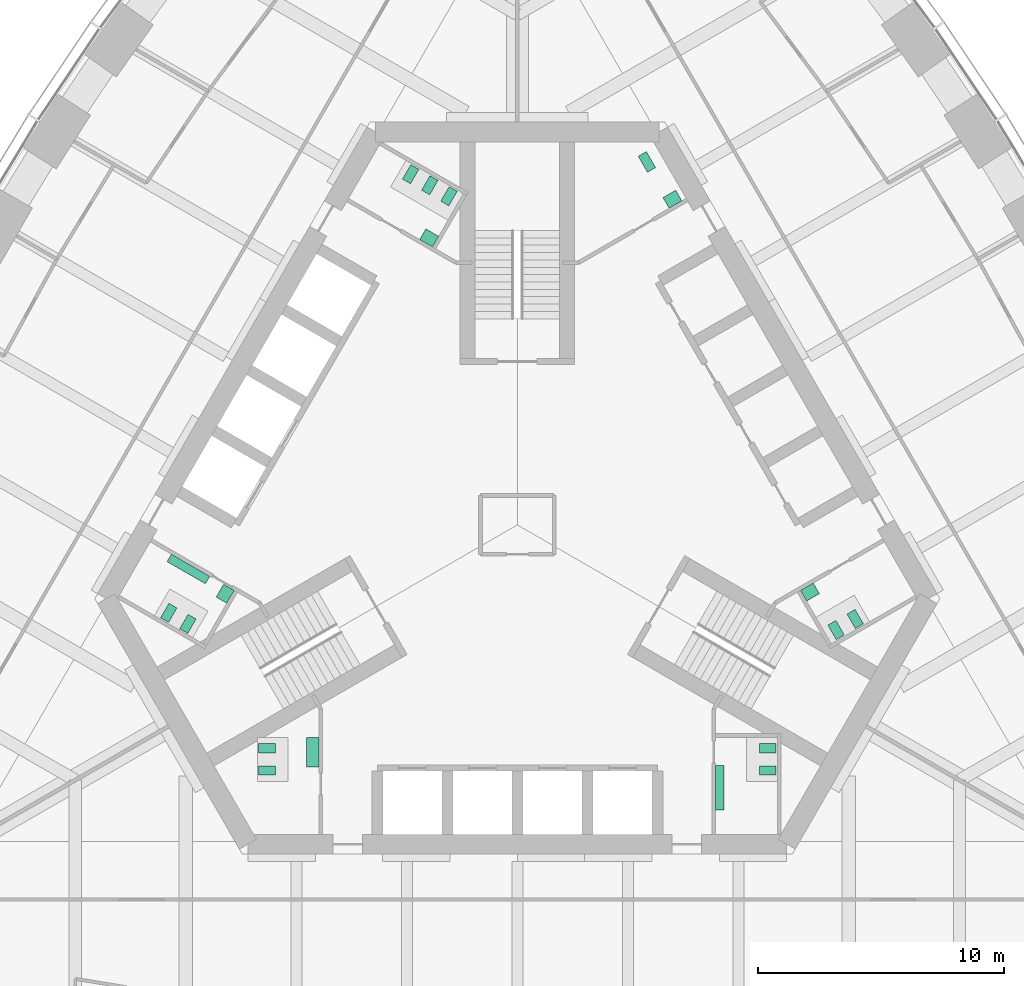
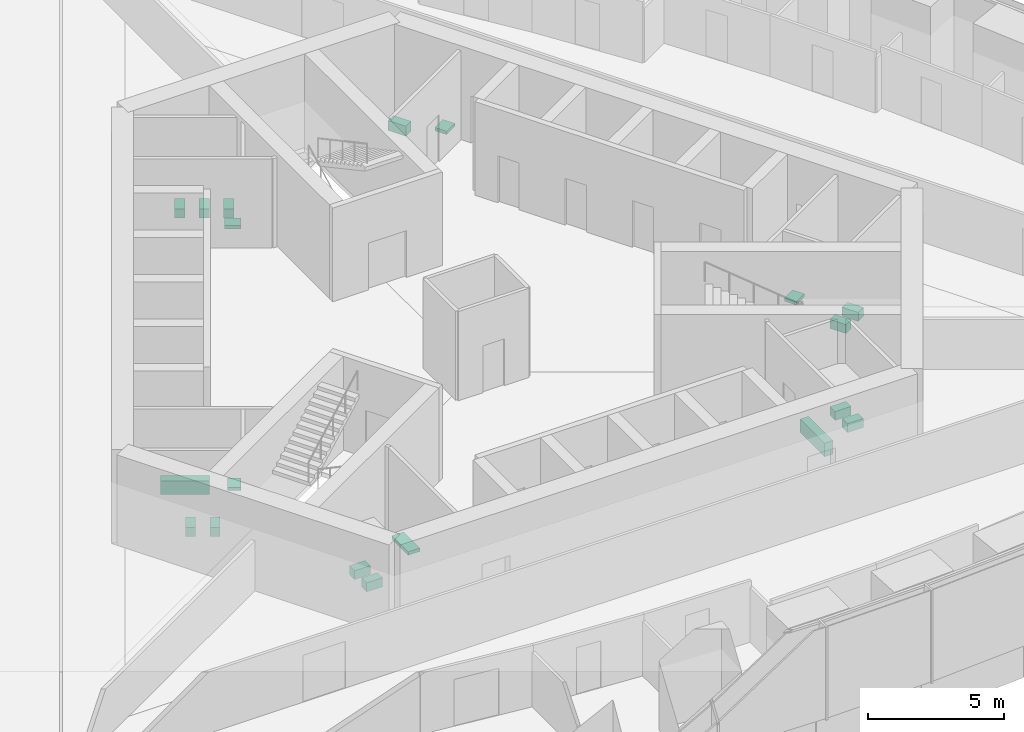
# One storey, part 18 of 19: 19 sanitary terminals.
"""IFC4 building model written with IfcOpenShell, lengths in metres."""

from ifc_helpers import new_model, si_unit, direction, frame, origin, place, context, subcontext, project, spatial, polyline, outline, extrude, material, type_object, element, save


model = new_model("IFC4")

# Units and contexts
model_context = context("Model", 3, precision=1e-05, world=origin(), true_north=direction((0.0, 1.0)))
body_context = subcontext(model_context, "Body", "Model", "MODEL_VIEW")
ifc_project = project(units=[si_unit("LENGTHUNIT", "METRE"), si_unit("AREAUNIT", "SQUARE_METRE"), si_unit("VOLUMEUNIT", "CUBIC_METRE"), si_unit("PLANEANGLEUNIT", "RADIAN"), si_unit("MASSUNIT", "GRAM", prefix="KILO")], contexts=[model_context])

# Site, building, storey
site_placement = place(None, origin())
site = spatial("IfcSite", under=ifc_project, at=site_placement, CompositionType="ELEMENT")
building_placement = place(site_placement, origin())
building = spatial("IfcBuilding", under=site, at=building_placement, Name="Trefoil Bronze Tower", CompositionType="ELEMENT")
storey_placement = place(building_placement, frame((0.0, 0.0, 189.699951171875)))
storey = spatial("IfcBuildingStorey", under=building, at=storey_placement, Name="L43", CompositionType="ELEMENT", Elevation=189.699951171875)

# Sanitary terminals
ifc_material_1 = material(Name="Vitreous china", Category="ceramic")
sanitary_terminal_type_1 = type_object("IfcSanitaryTerminalType", Name="Accessible WC pan", PredefinedType="TOILETPAN", material=ifc_material_1)
sanitary_terminal_1_placement = place(storey_placement, origin())
element("IfcSanitaryTerminal", 1, at=sanitary_terminal_1_placement, inside=storey, type_object=sanitary_terminal_type_1, Name="WC pan 1 Accessible WC L43", PredefinedType="TOILETPAN", context=body_context, shape_type="SweptSolid", body=[
    extrude(outline(polyline([(5.300537109375, 14.359130859375), (4.925537109375, 15.008544921875), (5.254638671875, 15.198486328125), (5.629638671875, 14.549072265625), (5.300537109375, 14.359130859375)])), origin(), (0.0, 0.0, 1.0), 0.449951171875),
])
ifc_material_2 = material(Name="Vitreous china", Category="ceramic")
sanitary_terminal_type_2 = type_object("IfcSanitaryTerminalType", Name="Accessible basin", PredefinedType="WASHHANDBASIN", material=ifc_material_2)
sanitary_terminal_2_placement = place(storey_placement, frame((0.0, 0.0, 0.650146484375)))
element("IfcSanitaryTerminal", 2, at=sanitary_terminal_2_placement, inside=storey, type_object=sanitary_terminal_type_2, Name="Wash basin Accessible WC L43", PredefinedType="WASHHANDBASIN", context=body_context, shape_type="SweptSolid", body=[
    extrude(outline(polyline([(6.181640625, 12.89306640625), (5.931640625, 13.326171875), (6.451171875, 13.626220703125), (6.701171875, 13.193115234375), (6.181640625, 12.89306640625)])), origin(), (0.0, 0.0, 1.0), 0.14990234375),
])
ifc_material_3 = material(Name="Vitreous china", Category="ceramic")
sanitary_terminal_type_3 = type_object("IfcSanitaryTerminalType", Name="Urinal range 3 urinals", PredefinedType="URINAL", material=ifc_material_3)
sanitary_terminal_3_placement = place(storey_placement, frame((0.0, 0.0, 0.400146484375)))
element("IfcSanitaryTerminal", 3, at=sanitary_terminal_3_placement, inside=storey, type_object=sanitary_terminal_type_3, Name="Urinal range WC (men) L43", PredefinedType="URINAL", context=body_context, shape_type="SweptSolid", body=[
    extrude(outline(polyline([(8.074951171875, -9.800048828125), (8.425048828125, -9.800048828125), (8.425048828125, -11.60009765625), (8.074951171875, -11.60009765625), (8.074951171875, -9.800048828125)])), origin(), (0.0, 0.0, 1.0), 0.599853515625),
])
sanitary_terminal_4_placement = place(storey_placement, frame((0.0, 0.0, 0.400146484375)))
element("IfcSanitaryTerminal", 4, at=sanitary_terminal_4_placement, inside=storey, type_object=sanitary_terminal_type_3, Name="Urinal range WC (men) L43", PredefinedType="URINAL", context=body_context, shape_type="SweptSolid", body=[
    extrude(outline(polyline([(-12.524658203125, -2.09326171875), (-12.699462890625, -2.396240234375), (-14.25830078125, -1.496337890625), (-14.08349609375, -1.193115234375), (-12.524658203125, -2.09326171875)])), origin(), (0.0, 0.0, 1.0), 0.599853515625),
])
ifc_material_4 = material(Name="Solid surface vanity", Category="plastic")
sanitary_terminal_type_4 = type_object("IfcSanitaryTerminalType", Name="Vanity unit 1 basins", PredefinedType="WASHHANDBASIN", material=ifc_material_4)
sanitary_terminal_5_placement = place(storey_placement, frame((0.0, 0.0, 0.75)))
element("IfcSanitaryTerminal", 5, at=sanitary_terminal_5_placement, inside=storey, type_object=sanitary_terminal_type_4, Name="Vanity unit WC (women) L43", PredefinedType="WASHHANDBASIN", context=body_context, shape_type="SweptSolid", body=[
    extrude(outline(polyline([(11.528564453125, -2.668212890625), (11.778564453125, -3.10107421875), (12.29833984375, -2.80126953125), (12.04833984375, -2.3681640625), (11.528564453125, -2.668212890625)])), origin(), (0.0, 0.0, 1.0), 0.150146484375),
])
sanitary_terminal_6_placement = place(storey_placement, frame((0.0, 0.0, 0.75)))
element("IfcSanitaryTerminal", 6, at=sanitary_terminal_6_placement, inside=storey, type_object=sanitary_terminal_type_4, Name="Vanity unit WC (women) L43", PredefinedType="WASHHANDBASIN", context=body_context, shape_type="SweptSolid", body=[
    extrude(outline(polyline([(-3.45361328125, 11.318115234375), (-3.20361328125, 11.751220703125), (-3.72314453125, 12.05126953125), (-3.97314453125, 11.6181640625), (-3.45361328125, 11.318115234375)])), origin(), (0.0, 0.0, 1.0), 0.150146484375),
])
sanitary_terminal_7_placement = place(storey_placement, frame((0.0, 0.0, 0.75)))
element("IfcSanitaryTerminal", 7, at=sanitary_terminal_7_placement, inside=storey, type_object=sanitary_terminal_type_4, Name="Vanity unit WC (men) L43", PredefinedType="WASHHANDBASIN", context=body_context, shape_type="SweptSolid", body=[
    extrude(outline(polyline([(-11.528564453125, -2.668212890625), (-11.82861328125, -3.187744140625), (-12.26171875, -2.937744140625), (-11.961669921875, -2.418212890625), (-11.528564453125, -2.668212890625)])), origin(), (0.0, 0.0, 1.0), 0.150146484375),
])
ifc_material_5 = material(Name="Solid surface vanity", Category="plastic")
sanitary_terminal_type_5 = type_object("IfcSanitaryTerminalType", Name="Vanity unit 2 basins", PredefinedType="WASHHANDBASIN", material=ifc_material_5)
sanitary_terminal_8_placement = place(storey_placement, frame((0.0, 0.0, 0.75)))
element("IfcSanitaryTerminal", 8, at=sanitary_terminal_8_placement, inside=storey, type_object=sanitary_terminal_type_5, Name="Vanity unit WC (women) L43", PredefinedType="WASHHANDBASIN", context=body_context, shape_type="SweptSolid", body=[
    extrude(outline(polyline([(-8.074951171875, -8.64990234375), (-8.574951171875, -8.64990234375), (-8.574951171875, -9.85009765625), (-8.074951171875, -9.85009765625), (-8.074951171875, -8.64990234375)])), origin(), (0.0, 0.0, 1.0), 0.150146484375),
])
ifc_material_6 = material(Name="Vitreous china", Category="ceramic")
sanitary_terminal_type_6 = type_object("IfcSanitaryTerminalType", Name="WC pan", PredefinedType="TOILETPAN", material=ifc_material_6)
sanitary_terminal_9_placement = place(storey_placement, origin())
element("IfcSanitaryTerminal", 9, at=sanitary_terminal_9_placement, inside=storey, type_object=sanitary_terminal_type_6, Name="WC pan 1 WC (men) L43", PredefinedType="TOILETPAN", context=body_context, shape_type="SweptSolid", body=[
    extrude(outline(polyline([(9.85498046875, -8.909912109375), (10.534912109375, -8.909912109375), (10.534912109375, -9.2900390625), (9.85498046875, -9.2900390625), (9.85498046875, -8.909912109375)])), origin(), (0.0, 0.0, 1.0), 0.400146484375),
])
sanitary_terminal_10_placement = place(storey_placement, origin())
element("IfcSanitaryTerminal", 10, at=sanitary_terminal_10_placement, inside=storey, type_object=sanitary_terminal_type_6, Name="WC pan 2 WC (men) L43", PredefinedType="TOILETPAN", context=body_context, shape_type="SweptSolid", body=[
    extrude(outline(polyline([(9.85498046875, -9.81005859375), (10.534912109375, -9.81005859375), (10.534912109375, -10.18994140625), (9.85498046875, -10.18994140625), (9.85498046875, -9.81005859375)])), origin(), (0.0, 0.0, 1.0), 0.400146484375),
])
sanitary_terminal_11_placement = place(storey_placement, origin())
element("IfcSanitaryTerminal", 11, at=sanitary_terminal_11_placement, inside=storey, type_object=sanitary_terminal_type_6, Name="WC pan 1 WC (women) L43", PredefinedType="TOILETPAN", context=body_context, shape_type="SweptSolid", body=[
    extrude(outline(polyline([(12.643798828125, -4.07958984375), (12.98388671875, -4.66845703125), (13.31298828125, -4.478515625), (12.972900390625, -3.8896484375), (12.643798828125, -4.07958984375)])), origin(), (0.0, 0.0, 1.0), 0.400146484375),
])
sanitary_terminal_12_placement = place(storey_placement, origin())
element("IfcSanitaryTerminal", 12, at=sanitary_terminal_12_placement, inside=storey, type_object=sanitary_terminal_type_6, Name="WC pan 2 WC (women) L43", PredefinedType="TOILETPAN", context=body_context, shape_type="SweptSolid", body=[
    extrude(outline(polyline([(13.423095703125, -3.629638671875), (13.76318359375, -4.218505859375), (14.09228515625, -4.028564453125), (13.752197265625, -3.439697265625), (13.423095703125, -3.629638671875)])), origin(), (0.0, 0.0, 1.0), 0.400146484375),
])
sanitary_terminal_13_placement = place(storey_placement, origin())
element("IfcSanitaryTerminal", 13, at=sanitary_terminal_13_placement, inside=storey, type_object=sanitary_terminal_type_6, Name="WC pan 1 WC (women) L43", PredefinedType="TOILETPAN", context=body_context, shape_type="SweptSolid", body=[
    extrude(outline(polyline([(-2.788818359375, 12.98974609375), (-2.44873046875, 13.57861328125), (-2.77783203125, 13.7685546875), (-3.117919921875, 13.1796875), (-2.788818359375, 12.98974609375)])), origin(), (0.0, 0.0, 1.0), 0.400146484375),
])
sanitary_terminal_14_placement = place(storey_placement, origin())
element("IfcSanitaryTerminal", 14, at=sanitary_terminal_14_placement, inside=storey, type_object=sanitary_terminal_type_6, Name="WC pan 2 WC (women) L43", PredefinedType="TOILETPAN", context=body_context, shape_type="SweptSolid", body=[
    extrude(outline(polyline([(-3.568115234375, 13.439697265625), (-3.228271484375, 14.028564453125), (-3.557373046875, 14.218505859375), (-3.897216796875, 13.629638671875), (-3.568115234375, 13.439697265625)])), origin(), (0.0, 0.0, 1.0), 0.400146484375),
])
sanitary_terminal_15_placement = place(storey_placement, origin())
element("IfcSanitaryTerminal", 15, at=sanitary_terminal_15_placement, inside=storey, type_object=sanitary_terminal_type_6, Name="WC pan 3 WC (women) L43", PredefinedType="TOILETPAN", context=body_context, shape_type="SweptSolid", body=[
    extrude(outline(polyline([(-4.34765625, 13.8896484375), (-4.007568359375, 14.478515625), (-4.336669921875, 14.66845703125), (-4.6767578125, 14.07958984375), (-4.34765625, 13.8896484375)])), origin(), (0.0, 0.0, 1.0), 0.400146484375),
])
sanitary_terminal_16_placement = place(storey_placement, origin())
element("IfcSanitaryTerminal", 16, at=sanitary_terminal_16_placement, inside=storey, type_object=sanitary_terminal_type_6, Name="WC pan 1 WC (men) L43", PredefinedType="TOILETPAN", context=body_context, shape_type="SweptSolid", body=[
    extrude(outline(polyline([(-13.076904296875, -3.82958984375), (-13.416748046875, -4.41845703125), (-13.745849609375, -4.228515625), (-13.406005859375, -3.6396484375), (-13.076904296875, -3.82958984375)])), origin(), (0.0, 0.0, 1.0), 0.400146484375),
])
sanitary_terminal_17_placement = place(storey_placement, origin())
element("IfcSanitaryTerminal", 17, at=sanitary_terminal_17_placement, inside=storey, type_object=sanitary_terminal_type_6, Name="WC pan 2 WC (men) L43", PredefinedType="TOILETPAN", context=body_context, shape_type="SweptSolid", body=[
    extrude(outline(polyline([(-13.856201171875, -3.379638671875), (-14.1962890625, -3.968505859375), (-14.525390625, -3.778564453125), (-14.185302734375, -3.189697265625), (-13.856201171875, -3.379638671875)])), origin(), (0.0, 0.0, 1.0), 0.400146484375),
])
sanitary_terminal_18_placement = place(storey_placement, origin())
element("IfcSanitaryTerminal", 18, at=sanitary_terminal_18_placement, inside=storey, type_object=sanitary_terminal_type_6, Name="WC pan 1 WC (women) L43", PredefinedType="TOILETPAN", context=body_context, shape_type="SweptSolid", body=[
    extrude(outline(polyline([(-9.85498046875, -8.909912109375), (-10.534912109375, -8.909912109375), (-10.534912109375, -9.2900390625), (-9.85498046875, -9.2900390625), (-9.85498046875, -8.909912109375)])), origin(), (0.0, 0.0, 1.0), 0.400146484375),
])
sanitary_terminal_19_placement = place(storey_placement, origin())
element("IfcSanitaryTerminal", 19, at=sanitary_terminal_19_placement, inside=storey, type_object=sanitary_terminal_type_6, Name="WC pan 2 WC (women) L43", PredefinedType="TOILETPAN", context=body_context, shape_type="SweptSolid", body=[
    extrude(outline(polyline([(-9.85498046875, -9.81005859375), (-10.534912109375, -9.81005859375), (-10.534912109375, -10.18994140625), (-9.85498046875, -10.18994140625), (-9.85498046875, -9.81005859375)])), origin(), (0.0, 0.0, 1.0), 0.400146484375),
])

save(model, "model.ifc")
